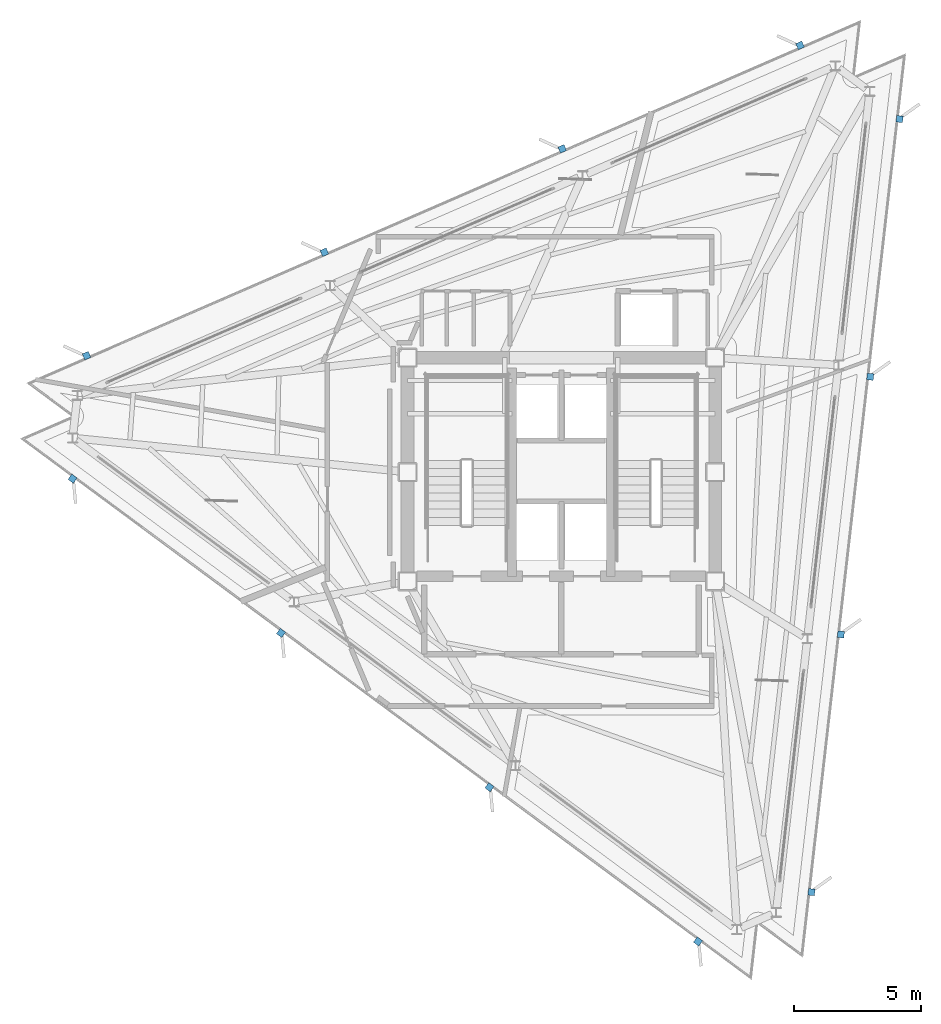
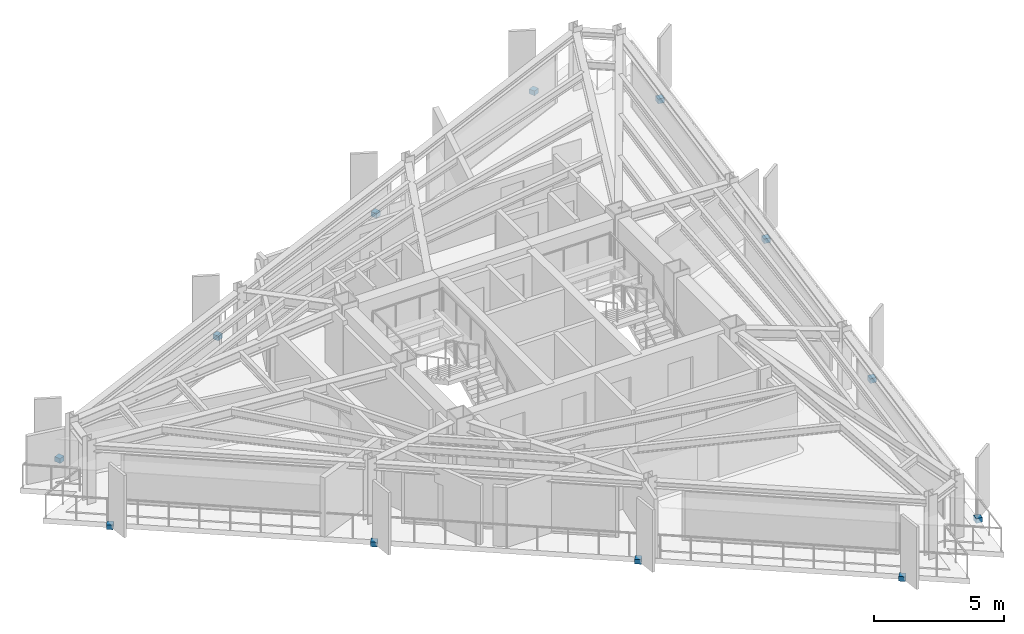
# One storey, part 7 of 10: 12 discrete accessories.
"""IFC4 building model written with IfcOpenShell, lengths in metres."""

import ifcopenshell
import ifcopenshell.guid

model = None  # the IFC model being written
_history = None  # IfcOwnerHistory: only IFC2X3 demands one
_inside = {}  # id of a spatial element -> (the spatial element, [elements in it])
_under = {}  # id of a project, library or spatial element -> (it, [spatial elements below it])
_declared = {}  # id of a project -> (the project, [libraries it declares])
_typed = {}  # id of a type object -> (the type object, [elements of that type])
_made_of = {}  # id of a material, layer set ... -> (it, [elements and type objects made of it])


def new_model(schema):
    """Start an empty IFC model of exactly this schema.

    Asked for "IFC4X3", IfcOpenShell would pick the latest addendum, in which some entities
    have other attributes; the version numbers below select the first issue.
    IFC2X3 requires an IfcOwnerHistory on every rooted entity: one is made here for all.
    """
    global model, _history
    if schema == "IFC4X3":
        model = ifcopenshell.file(schema_version=(4, 3, 0, 0))
    else:
        model = ifcopenshell.file(schema=schema)
    _inside.clear()
    _under.clear()
    _declared.clear()
    _typed.clear()
    _made_of.clear()
    _history = None
    if model.schema == "IFC2X3":
        org = make("IfcOrganization", Name="unknown")
        user = make(
            "IfcPersonAndOrganization",
            ThePerson=make("IfcPerson", FamilyName="unknown"),
            TheOrganization=org,
        )
        app = make(
            "IfcApplication",
            ApplicationDeveloper=org,
            Version="unknown",
            ApplicationFullName="unknown",
            ApplicationIdentifier="unknown",
        )
        _history = make(
            "IfcOwnerHistory",
            OwningUser=user,
            OwningApplication=app,
            ChangeAction="ADDED",
            CreationDate=0,
        )
    return model


def make(cls, **values):
    """One entity of the class cls with the attributes given. An attribute that is None is left unset."""
    return model.create_entity(
        cls, **{name: value for name, value in values.items() if value is not None}
    )


def rooted(cls, **values):
    """An entity with a GlobalId (a new one), such as an element, a storey or a relation."""
    return make(cls, GlobalId=ifcopenshell.guid.new(), OwnerHistory=_history, **values)


def si_unit(unit_type, name, prefix=None):
    """IfcSIUnit, for example si_unit("LENGTHUNIT", "METRE", prefix="MILLI")."""
    return make("IfcSIUnit", UnitType=unit_type, Prefix=prefix, Name=name)


def assignment(units):
    """IfcUnitAssignment: the units of a project."""
    return None if units is None else make("IfcUnitAssignment", Units=units)


def point(xyz):
    """IfcCartesianPoint."""
    return None if xyz is None else make("IfcCartesianPoint", Coordinates=xyz)


def direction(xyz):
    """IfcDirection."""
    return None if xyz is None else make("IfcDirection", DirectionRatios=xyz)


def frame(location, z_axis=None, x_axis=None):
    """IfcAxis2Placement3D, a coordinate frame: its origin and axes. An axis left out is left unset."""
    return make(
        "IfcAxis2Placement3D",
        Location=point(location),
        Axis=direction(z_axis),
        RefDirection=direction(x_axis),
    )


def frame_2d(location, x_axis=None):
    """IfcAxis2Placement2D, a coordinate frame in the plane: its origin and x axis."""
    return make(
        "IfcAxis2Placement2D", Location=point(location), RefDirection=direction(x_axis)
    )


def origin():
    """The frame at (0, 0, 0) with its axes left unset."""
    return frame((0.0, 0.0, 0.0))


def origin_2d():
    """The frame at (0, 0) in the plane with its x axis left unset."""
    return frame_2d((0.0, 0.0))


def place(relative_to, where):
    """IfcLocalPlacement: puts the frame where relative to a parent placement (None: the world)."""
    return make(
        "IfcLocalPlacement", PlacementRelTo=relative_to, RelativePlacement=where
    )


def context(
    kind, dimensions, precision=None, world=None, true_north=None, identifier=None
):
    """IfcGeometricRepresentationContext, for example the 3D "Model" context."""
    return make(
        "IfcGeometricRepresentationContext",
        ContextIdentifier=identifier,
        ContextType=kind,
        CoordinateSpaceDimension=dimensions,
        Precision=precision,
        WorldCoordinateSystem=world,
        TrueNorth=true_north,
    )


def subcontext(parent, identifier, kind, view, scale=None):
    """IfcGeometricRepresentationSubContext, for example "Body" below "Model"."""
    return make(
        "IfcGeometricRepresentationSubContext",
        ContextIdentifier=identifier,
        ContextType=kind,
        ParentContext=parent,
        TargetScale=scale,
        TargetView=view,
    )


def project(units=None, contexts=None):
    """IfcProject with its units and contexts."""
    return rooted(
        "IfcProject",
        Name="project",
        RepresentationContexts=contexts,
        UnitsInContext=assignment(units),
    )


def spatial(cls, under=None, at=None, **own):
    """A site, building, storey or space (cls), placed at a placement, below another one or the project."""
    s = rooted(cls, ObjectPlacement=at, **own)
    if under is not None:
        _under.setdefault(under.id(), (under, []))[1].append(s)
    return s


def profile(cls, at=None, kind="AREA", **sizes):
    """A parametric profile (cls). Its sizes go by their IFC names, for example OverallWidth=200.0."""
    return make(cls, ProfileType=kind, Position=at, **sizes)


def rectangle(**sizes):
    """IfcRectangleProfileDef."""
    return profile("IfcRectangleProfileDef", **sizes)


def extrude(swept, where, along, depth):
    """IfcExtrudedAreaSolid: the profile swept, set in the frame where, extruded along a direction by depth."""
    return make(
        "IfcExtrudedAreaSolid",
        SweptArea=swept,
        Position=where,
        ExtrudedDirection=direction(along),
        Depth=depth,
    )


def shape(context_of_items, identifier, shape_type, items):
    """IfcShapeRepresentation: the items that make up one representation, for example the "Body"."""
    return make(
        "IfcShapeRepresentation",
        ContextOfItems=context_of_items,
        RepresentationIdentifier=identifier,
        RepresentationType=shape_type,
        Items=items,
    )


def material(Name=None, Category=None):
    """IfcMaterial."""
    return make("IfcMaterial", Name=Name, Category=Category)


def layer(
    of_material, thickness, ventilated=None, Name=None, Category=None, Priority=None
):
    """IfcMaterialLayer: one layer of a wall or slab, of a material (None: an air gap)."""
    return make(
        "IfcMaterialLayer",
        Material=of_material,
        LayerThickness=thickness,
        IsVentilated=ventilated,
        Name=Name,
        Category=Category,
        Priority=Priority,
    )


def layer_set(layers, Name=None):
    """IfcMaterialLayerSet."""
    return make("IfcMaterialLayerSet", MaterialLayers=layers, LayerSetName=Name)


def made_of(thing, what):
    """Note that an element or type object is made of a material, layer set ...; save() writes the relation."""
    if what is not None:
        _made_of.setdefault(what.id(), (what, []))[1].append(thing)
    return thing


def type_object(cls, material=None, **own):
    """A type object (cls), such as IfcWallType, which elements share."""
    return made_of(rooted(cls, **own), material)


def element(
    cls,
    number,
    at=None,
    inside=None,
    cuts=None,
    type_object=None,
    material=None,
    context=None,
    identifier="Body",
    shape_type=None,
    held_by="IfcProductDefinitionShape",
    body=None,
    shapes=None,
    **own,
):
    """One element of the class cls, such as IfcWall. Its Tag is "e" and its number.

    at: its placement. inside: the storey or other place that contains it. cuts: it is an
    opening in that element (IfcRelVoidsElement). A single representation is given by context,
    identifier, shape_type and body (its items); several are given by shapes. held_by: the class
    of the entity that holds the representations. save() writes the other relations.
    """
    e = rooted(cls, Tag="e%d" % number, ObjectPlacement=at, **own)
    if body is not None:
        shapes = [shape(context, identifier, shape_type, body)]
    if shapes is not None:
        e.Representation = make(held_by, Representations=shapes)
    if inside is not None:
        _inside.setdefault(inside.id(), (inside, []))[1].append(e)
    if cuts is not None:
        rooted(
            "IfcRelVoidsElement", RelatingBuildingElement=cuts, RelatedOpeningElement=e
        )
    if type_object is not None:
        _typed.setdefault(type_object.id(), (type_object, []))[1].append(e)
    return made_of(e, material)


def aggregate(whole, parts):
    """IfcRelAggregates: a whole, such as a stair, and the parts it consists of."""
    return rooted("IfcRelAggregates", RelatingObject=whole, RelatedObjects=parts)


def save(model, path):
    """Write the relations noted so far, then the file.

    IfcRelAggregates (storeys below a building ...), IfcRelContainedInSpatialStructure (elements
    in a storey), IfcRelDefinesByType, IfcRelAssociatesMaterial and IfcRelDeclares: one each for
    every whole, place, type object, material and project.
    """
    for whole, parts in _under.values():
        aggregate(whole, parts)
    for where, things in _inside.values():
        rooted(
            "IfcRelContainedInSpatialStructure",
            RelatedElements=things,
            RelatingStructure=where,
        )
    for kind, things in _typed.values():
        rooted("IfcRelDefinesByType", RelatedObjects=things, RelatingType=kind)
    for what, things in _made_of.values():
        rooted("IfcRelAssociatesMaterial", RelatedObjects=things, RelatingMaterial=what)
    for by, libraries in _declared.values():
        rooted("IfcRelDeclares", RelatingContext=by, RelatedDefinitions=libraries)
    model.write(path)


model = new_model("IFC4")

# Units and contexts
model_context = context("Model", 3, precision=1e-05, world=origin(), true_north=direction((0.0, 1.0)))
body_context = subcontext(model_context, "Body", "Model", "MODEL_VIEW")
ifc_project = project(units=[si_unit("LENGTHUNIT", "METRE"), si_unit("AREAUNIT", "SQUARE_METRE"), si_unit("VOLUMEUNIT", "CUBIC_METRE"), si_unit("PLANEANGLEUNIT", "RADIAN"), si_unit("MASSUNIT", "GRAM", prefix="KILO")], contexts=[model_context])

# Site, building, storey
site_placement = place(None, origin())
site = spatial("IfcSite", under=ifc_project, at=site_placement, CompositionType="ELEMENT")
building_placement = place(site_placement, origin())
building = spatial("IfcBuilding", under=site, at=building_placement, Name="Rocaltana Carrier Exchange", CompositionType="ELEMENT")
storey_placement = place(building_placement, frame((0.0, 0.0, 220.9599609375)))
storey = spatial("IfcBuildingStorey", under=building, at=storey_placement, Name="L70", CompositionType="ELEMENT", Elevation=220.9599609375)

# Discrete accessories
ifc_material = material(Name="Brushed Architectural Stainless Metal", Category="steel")
ifc_layer = layer(ifc_material, 0.219970703125)
ifc_layer_set = layer_set([ifc_layer], Name="Brushed Architectural Stainless Metal")
discrete_accessory_type = type_object("IfcDiscreteAccessoryType", Name="Stainless Fin Slab-Edge Bracket 260x260x220", PredefinedType="BRACKET", material=ifc_layer_set)
for number, where, z_axis, x_axis, name in (
    (1, (9.837890625, -16.52001953125, -0.2099609375), (0.0, 0.0, 1.0), (0.113203213768, 0.993571855677, 0.0), "L70 Sandstone Fin Edge Bracket F1-01"),
    (2, (10.992431640625, -6.385498046875, -0.2099609375), (0.0, 0.0, 1.0), (0.113203213768, 0.993571855677, 0.0), "L70 Sandstone Fin Edge Bracket F1-02"),
    (3, (12.147216796875, 3.7490234375, -0.2099609375), (0.0, 0.0, 1.0), (0.113203213768, 0.993571855677, 0.0), "L70 Sandstone Fin Edge Bracket F1-03"),
    (4, (13.302001953125, 13.88330078125, -0.2099609375), (0.0, 0.0, 1.0), (0.113203213768, 0.993571855677, 0.0), "L70 Sandstone Fin Edge Bracket F1-04"),
    (5, (9.3876953125, 16.77978515625, -0.2099609375), (0.0, 0.0, 1.0), (-0.917060074385, -0.398749068925, 0.0), "L70 Sandstone Fin Edge Bracket F2-01"),
    (6, (0.03369140625, 12.71240234375, -0.2099609375), (0.0, 0.0, 1.0), (-0.917060074385, -0.398749068925, 0.0), "L70 Sandstone Fin Edge Bracket F2-02"),
    (7, (-9.3203125, 8.645263671875, -0.2099609375), (0.0, 0.0, 1.0), (-0.917060074385, -0.398749068925, 0.0), "L70 Sandstone Fin Edge Bracket F2-03"),
    (8, (-18.67431640625, 4.578125, -0.2099609375), (0.0, 0.0, 1.0), (-0.917060074385, -0.398749068925, 0.0), "L70 Sandstone Fin Edge Bracket F2-04"),
    (9, (-19.2255859375, -0.260009765625, -0.2099609375), (0.0, 0.0, 1.0), (0.803856860617, -0.594822786751, 0.0), "L70 Sandstone Fin Edge Bracket F3-01"),
    (10, (-11.026123046875, -6.3271484375, -0.2099609375), (0.0, 0.0, 1.0), (0.803856860617, -0.594822786751, 0.0), "L70 Sandstone Fin Edge Bracket F3-02"),
    (11, (-2.826904296875, -12.394287109375, -0.2099609375), (0.0, 0.0, 1.0), (0.803856860617, -0.594822786751, 0.0), "L70 Sandstone Fin Edge Bracket F3-03"),
    (12, (5.37255859375, -18.46142578125, -0.2099609375), (0.0, 0.0, 1.0), (0.803856860617, -0.594822786751, 0.0), "L70 Sandstone Fin Edge Bracket F3-04"),
):
    element("IfcDiscreteAccessory", number, at=place(storey_placement, frame(where, z_axis=z_axis, x_axis=x_axis)), inside=storey, type_object=discrete_accessory_type, Name=name, PredefinedType="BRACKET", context=body_context, shape_type="SweptSolid", body=[
        extrude(rectangle(XDim=0.260009765625, YDim=0.260009765625, at=origin_2d()), origin(), (0.0, 0.0, 1.0), 0.219970703125),
    ])

save(model, "model.ifc")
